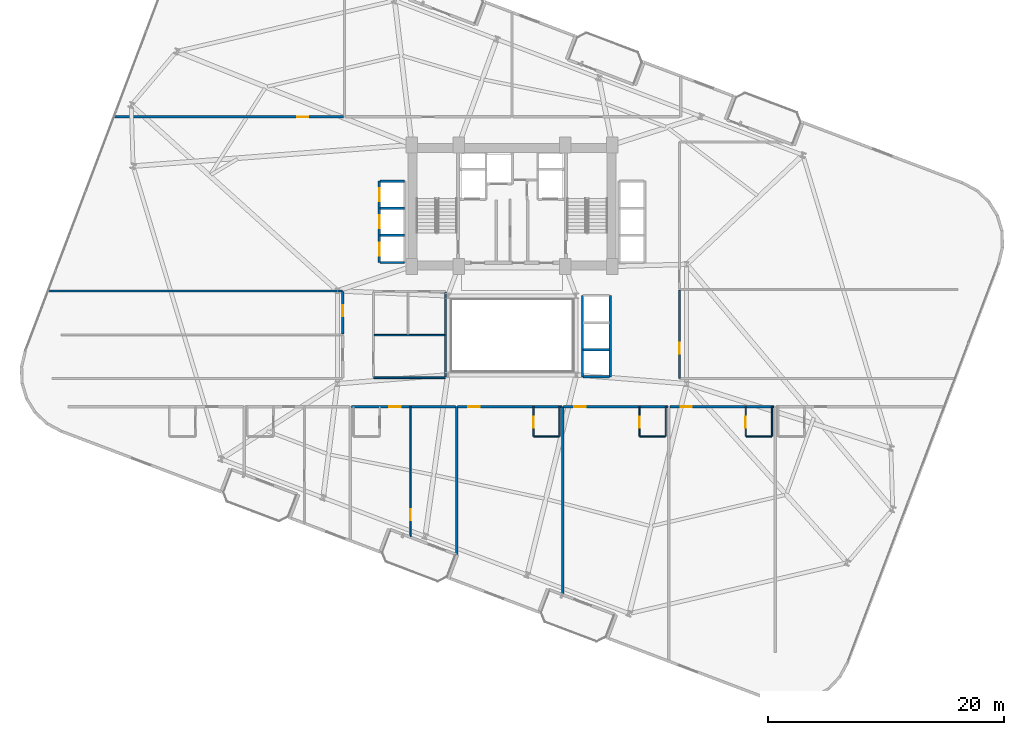
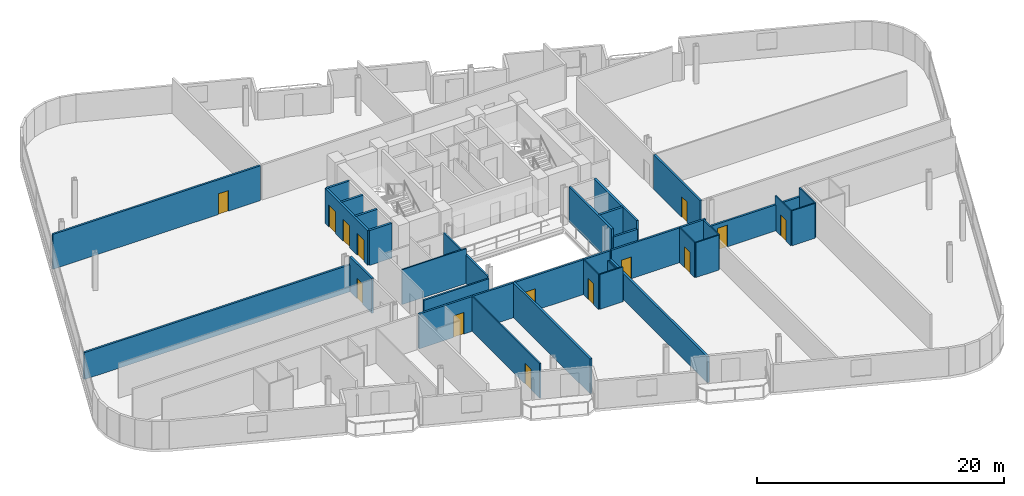
# One storey, part 18 of 25: 32 walls, 14 doors, 14 openings.
"""IFC4 building model written with IfcOpenShell, lengths in metres."""

from ifc_helpers import new_model, si_unit, direction, frame, frame_2d, origin, place, context, subcontext, project, spatial, rectangle, extrude, material, layer, layer_set, type_object, element, fill, save


model = new_model("IFC4")

# Units and contexts
model_context = context("Model", 3, precision=1e-05, world=origin(), true_north=direction((0.0, 1.0)))
body_context = subcontext(model_context, "Body", "Model", "MODEL_VIEW")
ifc_project = project(units=[si_unit("LENGTHUNIT", "METRE"), si_unit("AREAUNIT", "SQUARE_METRE"), si_unit("VOLUMEUNIT", "CUBIC_METRE"), si_unit("PLANEANGLEUNIT", "RADIAN"), si_unit("MASSUNIT", "GRAM", prefix="KILO")], contexts=[model_context])

# Site, building, storey
site_placement = place(None, origin())
site = spatial("IfcSite", under=ifc_project, at=site_placement, CompositionType="ELEMENT")
building_placement = place(site_placement, origin())
building = spatial("IfcBuilding", under=site, at=building_placement, Name="Varnelok Gate Tower", CompositionType="ELEMENT")
storey_placement = place(building_placement, frame((0.0, 0.0, 83.60009765625)))
storey = spatial("IfcBuildingStorey", under=building, at=storey_placement, Name="L20", CompositionType="ELEMENT", Elevation=83.60009765625)

# Wall, opening, door
ifc_material_1 = material(Name="Gypsum Plasterboard Acoustic Partition", Category="gypsum")
ifc_layer_1 = layer(ifc_material_1, 0.179931640625)
ifc_layer_set_1 = layer_set([ifc_layer_1], Name="Gypsum Plasterboard Acoustic Partition")
wall_type_1 = type_object("IfcWallType", Name="PW-CORR-180", PredefinedType="PARTITIONING", material=ifc_layer_set_1)
wall_1_placement = place(storey_placement, frame((25.580078125, 16.85009765625, 0.0), z_axis=(0.0, 0.0, 1.0), x_axis=(1.0, 0.0, 0.0)))
wall_1 = element("IfcWall", 1, at=wall_1_placement, inside=storey, type_object=wall_type_1, Name="Interior Partition", PredefinedType="PARTITIONING", context=body_context, shape_type="SweptSolid", body=[
    extrude(rectangle(XDim=8.83984375, YDim=0.179931640625, at=frame_2d((4.419921875, 0.0))), origin(), (0.0, 0.0, 1.0), 3.449951171875),
])
opening_1_placement = place(wall_1_placement, frame((3.22998046875, 0.0, 0.0)))
opening_1 = element("IfcOpeningElement", 2, at=opening_1_placement, cuts=wall_1, Name="Opening D-HT", PredefinedType="OPENING", context=body_context, shape_type="SweptSolid", body=[
    extrude(rectangle(XDim=0.949951171875, YDim=2.14990234375, at=frame_2d((0.47509765625, 1.074951171875))), frame((0.0, 0.099853515625, 0.0), z_axis=(0.0, -1.0, 0.0), x_axis=(1.0, 0.0, 0.0)), (0.0, 0.0, 1.0), 0.199951171875),
])
ifc_material_2 = material(Name="Engineered Hardwood Timber", Category="wood")
door_type_1 = type_object("IfcDoorType", Name="DR-HTL-950", OperationType="NOTDEFINED", PredefinedType="DOOR", material=ifc_material_2)
door_1_placement = place(opening_1_placement, origin())
door_1 = element("IfcDoor", 3, at=door_1_placement, inside=storey, type_object=door_type_1, Name="L20 Guest Room 03 Entrance Door", OperationType="SINGLE_SWING_RIGHT", OverallHeight=2.14990234375, OverallWidth=0.949951171875, PredefinedType="DOOR", context=body_context, shape_type="SweptSolid", body=[
    extrude(rectangle(XDim=0.949951171875, YDim=2.14990234375, at=frame_2d((0.47509765625, 1.074951171875))), frame((0.0, 0.02490234375, 0.0), z_axis=(0.0, -1.0, 0.0), x_axis=(1.0, 0.0, 0.0)), (0.0, 0.0, 1.0), 0.050048828125),
])
fill(opening_1, door_1)

wall_2_placement = place(storey_placement, frame((34.580078125, 16.85009765625, 0.0), z_axis=(0.0, 0.0, 1.0), x_axis=(1.0, 0.0, 0.0)))
wall_2 = element("IfcWall", 4, at=wall_2_placement, inside=storey, type_object=wall_type_1, Name="Interior Partition", PredefinedType="PARTITIONING", context=body_context, shape_type="SweptSolid", body=[
    extrude(rectangle(XDim=8.83984375, YDim=0.179931640625, at=frame_2d((4.419921875, 0.0))), origin(), (0.0, 0.0, 1.0), 3.449951171875),
])
opening_2_placement = place(wall_2_placement, frame((0.91796875, 0.0, 0.0)))
opening_2 = element("IfcOpeningElement", 5, at=opening_2_placement, cuts=wall_2, Name="Opening D-HT", PredefinedType="OPENING", context=body_context, shape_type="SweptSolid", body=[
    extrude(rectangle(XDim=0.949951171875, YDim=2.14990234375, at=frame_2d((0.47509765625, 1.074951171875))), frame((0.0, 0.099853515625, 0.0), z_axis=(0.0, -1.0, 0.0), x_axis=(1.0, 0.0, 0.0)), (0.0, 0.0, 1.0), 0.199951171875),
])
door_2_placement = place(opening_2_placement, origin())
door_2 = element("IfcDoor", 6, at=door_2_placement, inside=storey, type_object=door_type_1, Name="L20 Guest Room 04 Entrance Door", OperationType="SINGLE_SWING_LEFT", OverallHeight=2.14990234375, OverallWidth=0.949951171875, PredefinedType="DOOR", context=body_context, shape_type="SweptSolid", body=[
    extrude(rectangle(XDim=0.949951171875, YDim=2.14990234375, at=frame_2d((0.47509765625, 1.074951171875))), frame((0.0, 0.02490234375, 0.0), z_axis=(0.0, -1.0, 0.0), x_axis=(1.0, 0.0, 0.0)), (0.0, 0.0, 1.0), 0.050048828125),
])
fill(opening_2, door_2)

wall_3_placement = place(storey_placement, frame((43.580078125, 16.85009765625, 0.0), z_axis=(0.0, 0.0, 1.0), x_axis=(1.0, 0.0, 0.0)))
wall_3 = element("IfcWall", 7, at=wall_3_placement, inside=storey, type_object=wall_type_1, Name="Interior Partition", PredefinedType="PARTITIONING", context=body_context, shape_type="SweptSolid", body=[
    extrude(rectangle(XDim=8.83984375, YDim=0.179931640625, at=frame_2d((4.419921875, 0.0))), origin(), (0.0, 0.0, 1.0), 3.449951171875),
])
opening_3_placement = place(wall_3_placement, frame((0.91796875, 0.0, 0.0)))
opening_3 = element("IfcOpeningElement", 8, at=opening_3_placement, cuts=wall_3, Name="Opening D-HT", PredefinedType="OPENING", context=body_context, shape_type="SweptSolid", body=[
    extrude(rectangle(XDim=0.949951171875, YDim=2.14990234375, at=frame_2d((0.47509765625, 1.074951171875))), frame((0.0, 0.099853515625, 0.0), z_axis=(0.0, -1.0, 0.0), x_axis=(1.0, 0.0, 0.0)), (0.0, 0.0, 1.0), 0.199951171875),
])
door_3_placement = place(opening_3_placement, origin())
door_3 = element("IfcDoor", 9, at=door_3_placement, inside=storey, type_object=door_type_1, Name="L20 Guest Room 05 Entrance Door", OperationType="SINGLE_SWING_RIGHT", OverallHeight=2.14990234375, OverallWidth=0.949951171875, PredefinedType="DOOR", context=body_context, shape_type="SweptSolid", body=[
    extrude(rectangle(XDim=0.949951171875, YDim=2.14990234375, at=frame_2d((0.47509765625, 1.074951171875))), frame((0.0, 0.02490234375, 0.0), z_axis=(0.0, -1.0, 0.0), x_axis=(1.0, 0.0, 0.0)), (0.0, 0.0, 1.0), 0.050048828125),
])
fill(opening_3, door_3)

wall_4_placement = place(storey_placement, frame((52.580078125, 16.85009765625, 0.0), z_axis=(0.0, 0.0, 1.0), x_axis=(1.0, 0.0, 0.0)))
wall_4 = element("IfcWall", 10, at=wall_4_placement, inside=storey, type_object=wall_type_1, Name="Interior Partition", PredefinedType="PARTITIONING", context=body_context, shape_type="SweptSolid", body=[
    extrude(rectangle(XDim=8.83984375, YDim=0.179931640625, at=frame_2d((4.419921875, 0.0))), origin(), (0.0, 0.0, 1.0), 2.579833984375),
])
opening_4_placement = place(wall_4_placement, frame((0.91796875, 0.0, 0.0)))
opening_4 = element("IfcOpeningElement", 11, at=opening_4_placement, cuts=wall_4, Name="Opening D-HT", PredefinedType="OPENING", context=body_context, shape_type="SweptSolid", body=[
    extrude(rectangle(XDim=0.949951171875, YDim=2.14990234375, at=frame_2d((0.47509765625, 1.074951171875))), frame((0.0, 0.099853515625, 0.0), z_axis=(0.0, -1.0, 0.0), x_axis=(1.0, 0.0, 0.0)), (0.0, 0.0, 1.0), 0.199951171875),
])
door_4_placement = place(opening_4_placement, origin())
door_4 = element("IfcDoor", 12, at=door_4_placement, inside=storey, type_object=door_type_1, Name="L20 Guest Room 06 Entrance Door", OperationType="SINGLE_SWING_LEFT", OverallHeight=2.14990234375, OverallWidth=0.949951171875, PredefinedType="DOOR", context=body_context, shape_type="SweptSolid", body=[
    extrude(rectangle(XDim=0.949951171875, YDim=2.14990234375, at=frame_2d((0.47509765625, 1.074951171875))), frame((0.0, 0.02490234375, 0.0), z_axis=(0.0, -1.0, 0.0), x_axis=(1.0, 0.0, 0.0)), (0.0, 0.0, 1.0), 0.050048828125),
])
fill(opening_4, door_4)

wall_5_placement = place(storey_placement, frame((5.505859375, 41.429931640625, 0.0), z_axis=(0.0, 0.0, 1.0), x_axis=(1.0, 0.0, 0.0)))
wall_5 = element("IfcWall", 13, at=wall_5_placement, inside=storey, type_object=wall_type_1, Name="Interior Partition", PredefinedType="PARTITIONING", context=body_context, shape_type="SweptSolid", body=[
    extrude(rectangle(XDim=19.4140625, YDim=0.179931640625, at=frame_2d((9.70703125, 0.0))), origin(), (0.0, 0.0, 1.0), 3.449951171875),
])
opening_5_placement = place(wall_5_placement, frame((15.46923828125, 0.0, 0.0)))
opening_5 = element("IfcOpeningElement", 14, at=opening_5_placement, cuts=wall_5, Name="Opening D-I2", PredefinedType="OPENING", context=body_context, shape_type="SweptSolid", body=[
    extrude(rectangle(XDim=0.949951171875, YDim=2.050048828125, at=frame_2d((0.47509765625, 1.02490234375))), frame((0.0, 0.099853515625, 0.0), z_axis=(0.0, -1.0, 0.0), x_axis=(1.0, 0.0, 0.0)), (0.0, 0.0, 1.0), 0.199951171875),
])
door_type_2 = type_object("IfcDoorType", Name="DR-INT-950", OperationType="NOTDEFINED", PredefinedType="DOOR", material=ifc_material_2)
door_5_placement = place(opening_5_placement, origin())
door_5 = element("IfcDoor", 15, at=door_5_placement, inside=storey, type_object=door_type_2, Name="L20 Spa Treatment Suite Door", OperationType="SINGLE_SWING_LEFT", OverallHeight=2.050048828125, OverallWidth=0.949951171875, PredefinedType="DOOR", context=body_context, shape_type="SweptSolid", body=[
    extrude(rectangle(XDim=0.949951171875, YDim=2.050048828125, at=frame_2d((0.47509765625, 1.02490234375))), frame((0.0, 0.02490234375, 0.0), z_axis=(0.0, -1.0, 0.0), x_axis=(1.0, 0.0, 0.0)), (0.0, 0.0, 1.0), 0.050048828125),
])
fill(opening_5, door_5)

wall_6_placement = place(storey_placement, frame((24.85009765625, 23.030029296875, 0.0), z_axis=(0.0, 0.0, 1.0), x_axis=(0.0, 1.0, 0.0)))
wall_6 = element("IfcWall", 16, at=wall_6_placement, inside=storey, type_object=wall_type_1, Name="Interior Partition", PredefinedType="PARTITIONING", context=body_context, shape_type="SweptSolid", body=[
    extrude(rectangle(XDim=3.570068359375, YDim=0.179931640625, at=frame_2d((1.78515625, 0.0))), origin(), (0.0, 0.0, 1.0), 3.449951171875),
])
opening_6_placement = place(wall_6_placement, frame((1.49951171875, 0.0, 0.0)))
opening_6 = element("IfcOpeningElement", 17, at=opening_6_placement, cuts=wall_6, Name="Opening D-I3", PredefinedType="OPENING", context=body_context, shape_type="SweptSolid", body=[
    extrude(rectangle(XDim=0.919921875, YDim=2.050048828125, at=frame_2d((0.4599609375, 1.02490234375))), frame((0.0, 0.099853515625, 0.0), z_axis=(0.0, -1.0, 0.0), x_axis=(1.0, 0.0, 0.0)), (0.0, 0.0, 1.0), 0.199951171875),
])
door_type_3 = type_object("IfcDoorType", Name="DR-INT-920", OperationType="NOTDEFINED", PredefinedType="DOOR", material=ifc_material_2)
door_6_placement = place(opening_6_placement, origin())
door_6 = element("IfcDoor", 18, at=door_6_placement, inside=storey, type_object=door_type_3, Name="L20 West Wing Room 2 Door", OperationType="SINGLE_SWING_RIGHT", OverallHeight=2.050048828125, OverallWidth=0.919921875, PredefinedType="DOOR", context=body_context, shape_type="SweptSolid", body=[
    extrude(rectangle(XDim=0.919921875, YDim=2.050048828125, at=frame_2d((0.4599609375, 1.02490234375))), frame((0.0, 0.02490234375, 0.0), z_axis=(0.0, -1.0, 0.0), x_axis=(1.0, 0.0, 0.0)), (0.0, 0.0, 1.0), 0.050048828125),
])
fill(opening_6, door_6)

# Wall
wall_7_placement = place(storey_placement, frame((-0.0859375, 26.659912109375, 0.0), z_axis=(0.0, 0.0, 1.0), x_axis=(1.0, 0.0, 0.0)))
element("IfcWall", 19, at=wall_7_placement, inside=storey, type_object=wall_type_1, Name="Interior Partition", PredefinedType="PARTITIONING", context=body_context, shape_type="SweptSolid", body=[
    extrude(rectangle(XDim=24.93603515625, YDim=0.179931640625, at=frame_2d((12.468017578125, 0.0))), origin(), (0.0, 0.0, 1.0), 2.661865234375),
])

# Wall, opening, door
wall_8_placement = place(storey_placement, frame((53.389892578125, 19.239990234375, 0.0), z_axis=(0.0, 0.0, 1.0), x_axis=(0.0, 1.0, 0.0)))
wall_8 = element("IfcWall", 20, at=wall_8_placement, inside=storey, type_object=wall_type_1, Name="Interior Partition", PredefinedType="PARTITIONING", context=body_context, shape_type="SweptSolid", body=[
    extrude(rectangle(XDim=7.52001953125, YDim=0.179931640625, at=frame_2d((3.760009765625, 0.0))), origin(), (0.0, 0.0, 1.0), 3.449951171875),
])
opening_7_placement = place(wall_8_placement, frame((2.10009765625, 0.0, 0.0)))
opening_7 = element("IfcOpeningElement", 21, at=opening_7_placement, cuts=wall_8, Name="Opening D-I3", PredefinedType="OPENING", context=body_context, shape_type="SweptSolid", body=[
    extrude(rectangle(XDim=0.919921875, YDim=2.050048828125, at=frame_2d((0.4599609375, 1.02490234375))), frame((0.0, 0.099853515625, 0.0), z_axis=(0.0, -1.0, 0.0), x_axis=(1.0, 0.0, 0.0)), (0.0, 0.0, 1.0), 0.199951171875),
])
door_7_placement = place(opening_7_placement, origin())
door_7 = element("IfcDoor", 22, at=door_7_placement, inside=storey, type_object=door_type_3, Name="L20 East Studio Door", OperationType="SINGLE_SWING_RIGHT", OverallHeight=2.050048828125, OverallWidth=0.919921875, PredefinedType="DOOR", context=body_context, shape_type="SweptSolid", body=[
    extrude(rectangle(XDim=0.919921875, YDim=2.050048828125, at=frame_2d((0.4599609375, 1.02490234375))), frame((0.0, 0.02490234375, 0.0), z_axis=(0.0, -1.0, 0.0), x_axis=(1.0, 0.0, 0.0)), (0.0, 0.0, 1.0), 0.050048828125),
])
fill(opening_7, door_7)

# Wall
ifc_layer_2 = layer(ifc_material_1, 0.114990234375)
ifc_layer_set_2 = layer_set([ifc_layer_2], Name="Gypsum Plasterboard Acoustic Partition")
wall_type_2 = type_object("IfcWallType", Name="PW-ENS-125", PredefinedType="PARTITIONING", material=ifc_layer_set_2)
wall_9_placement = place(storey_placement, frame((41.050048828125, 14.330078125, 0.0), z_axis=(0.0, 0.0, 1.0), x_axis=(1.0, 0.0, 0.0)))
element("IfcWall", 23, at=wall_9_placement, inside=storey, type_object=wall_type_2, Name="Interior Partition", PredefinedType="PARTITIONING", context=body_context, shape_type="SweptSolid", body=[
    extrude(rectangle(XDim=2.14990234375, YDim=0.114990234375, at=frame_2d((1.074951171875, 0.0))), origin(), (0.0, 0.0, 1.0), 3.449951171875),
])

# Wall, opening, door
wall_10_placement = place(storey_placement, frame((41.010009765625, 14.330078125, 0.0), z_axis=(0.0, 0.0, 1.0), x_axis=(0.0, 1.0, 0.0)))
wall_10 = element("IfcWall", 24, at=wall_10_placement, inside=storey, type_object=wall_type_2, Name="Interior Partition", PredefinedType="PARTITIONING", context=body_context, shape_type="SweptSolid", body=[
    extrude(rectangle(XDim=2.52001953125, YDim=0.114990234375, at=frame_2d((1.260009765625, 0.0))), origin(), (0.0, 0.0, 1.0), 3.449951171875),
])
opening_8_placement = place(wall_10_placement, frame((0.760009765625, 0.0, 0.0)))
opening_8 = element("IfcOpeningElement", 25, at=opening_8_placement, cuts=wall_10, Name="Opening D-WC", PredefinedType="OPENING", context=body_context, shape_type="SweptSolid", body=[
    extrude(rectangle(XDim=0.89990234375, YDim=2.050048828125, at=frame_2d((0.449951171875, 1.02490234375))), frame((0.0, 0.0673828125, 0.0), z_axis=(0.0, -1.0, 0.0), x_axis=(1.0, 0.0, 0.0)), (0.0, 0.0, 1.0), 0.135009765625),
])
door_type_4 = type_object("IfcDoorType", Name="DR-BATH-900", OperationType="NOTDEFINED", PredefinedType="DOOR", material=ifc_material_2)
door_8_placement = place(opening_8_placement, origin())
door_8 = element("IfcDoor", 26, at=door_8_placement, inside=storey, type_object=door_type_4, Name="L20 Guest En-Suite 04 Door", OperationType="SINGLE_SWING_RIGHT", OverallHeight=2.050048828125, OverallWidth=0.89990234375, PredefinedType="DOOR", context=body_context, shape_type="SweptSolid", body=[
    extrude(rectangle(XDim=0.89990234375, YDim=2.050048828125, at=frame_2d((0.449951171875, 1.02490234375))), frame((0.0, 0.02490234375, 0.0), z_axis=(0.0, -1.0, 0.0), x_axis=(1.0, 0.0, 0.0)), (0.0, 0.0, 1.0), 0.050048828125),
])
fill(opening_8, door_8)

# Walls
wall_11_placement = place(storey_placement, frame((43.239990234375, 14.330078125, 0.0), z_axis=(0.0, 0.0, 1.0), x_axis=(0.0, 1.0, 0.0)))
element("IfcWall", 27, at=wall_11_placement, inside=storey, type_object=wall_type_2, Name="Interior Partition", PredefinedType="PARTITIONING", context=body_context, shape_type="SweptSolid", body=[
    extrude(rectangle(XDim=2.52001953125, YDim=0.114990234375, at=frame_2d((1.260009765625, 0.0))), origin(), (0.0, 0.0, 1.0), 2.579833984375),
])
wall_12_placement = place(storey_placement, frame((50.050048828125, 14.330078125, 0.0), z_axis=(0.0, 0.0, 1.0), x_axis=(1.0, 0.0, 0.0)))
element("IfcWall", 28, at=wall_12_placement, inside=storey, type_object=wall_type_2, Name="Interior Partition", PredefinedType="PARTITIONING", context=body_context, shape_type="SweptSolid", body=[
    extrude(rectangle(XDim=2.14990234375, YDim=0.114990234375, at=frame_2d((1.074951171875, 0.0))), origin(), (0.0, 0.0, 1.0), 3.449951171875),
])

# Wall, opening, door
wall_13_placement = place(storey_placement, frame((50.010009765625, 14.330078125, 0.0), z_axis=(0.0, 0.0, 1.0), x_axis=(0.0, 1.0, 0.0)))
wall_13 = element("IfcWall", 29, at=wall_13_placement, inside=storey, type_object=wall_type_2, Name="Interior Partition", PredefinedType="PARTITIONING", context=body_context, shape_type="SweptSolid", body=[
    extrude(rectangle(XDim=2.52001953125, YDim=0.114990234375, at=frame_2d((1.260009765625, 0.0))), origin(), (0.0, 0.0, 1.0), 3.449951171875),
])
opening_9_placement = place(wall_13_placement, frame((0.760009765625, 0.0, 0.0)))
opening_9 = element("IfcOpeningElement", 30, at=opening_9_placement, cuts=wall_13, Name="Opening D-WC", PredefinedType="OPENING", context=body_context, shape_type="SweptSolid", body=[
    extrude(rectangle(XDim=0.89990234375, YDim=2.050048828125, at=frame_2d((0.449951171875, 1.02490234375))), frame((0.0, 0.0673828125, 0.0), z_axis=(0.0, -1.0, 0.0), x_axis=(1.0, 0.0, 0.0)), (0.0, 0.0, 1.0), 0.135009765625),
])
door_9_placement = place(opening_9_placement, origin())
door_9 = element("IfcDoor", 31, at=door_9_placement, inside=storey, type_object=door_type_4, Name="L20 Guest En-Suite 05 Door", OperationType="SINGLE_SWING_RIGHT", OverallHeight=2.050048828125, OverallWidth=0.89990234375, PredefinedType="DOOR", context=body_context, shape_type="SweptSolid", body=[
    extrude(rectangle(XDim=0.89990234375, YDim=2.050048828125, at=frame_2d((0.449951171875, 1.02490234375))), frame((0.0, 0.02490234375, 0.0), z_axis=(0.0, -1.0, 0.0), x_axis=(1.0, 0.0, 0.0)), (0.0, 0.0, 1.0), 0.050048828125),
])
fill(opening_9, door_9)

# Walls
wall_14_placement = place(storey_placement, frame((52.239990234375, 14.330078125, 0.0), z_axis=(0.0, 0.0, 1.0), x_axis=(0.0, 1.0, 0.0)))
element("IfcWall", 32, at=wall_14_placement, inside=storey, type_object=wall_type_2, Name="Interior Partition", PredefinedType="PARTITIONING", context=body_context, shape_type="SweptSolid", body=[
    extrude(rectangle(XDim=2.52001953125, YDim=0.114990234375, at=frame_2d((1.260009765625, 0.0))), origin(), (0.0, 0.0, 1.0), 3.449951171875),
])
wall_15_placement = place(storey_placement, frame((59.050048828125, 14.330078125, 0.0), z_axis=(0.0, 0.0, 1.0), x_axis=(1.0, 0.0, 0.0)))
element("IfcWall", 33, at=wall_15_placement, inside=storey, type_object=wall_type_2, Name="Interior Partition", PredefinedType="PARTITIONING", context=body_context, shape_type="SweptSolid", body=[
    extrude(rectangle(XDim=2.14990234375, YDim=0.114990234375, at=frame_2d((1.074951171875, 0.0))), origin(), (0.0, 0.0, 1.0), 3.449951171875),
])

# Wall, opening, door
wall_16_placement = place(storey_placement, frame((59.010009765625, 14.330078125, 0.0), z_axis=(0.0, 0.0, 1.0), x_axis=(0.0, 1.0, 0.0)))
wall_16 = element("IfcWall", 34, at=wall_16_placement, inside=storey, type_object=wall_type_2, Name="Interior Partition", PredefinedType="PARTITIONING", context=body_context, shape_type="SweptSolid", body=[
    extrude(rectangle(XDim=2.52001953125, YDim=0.114990234375, at=frame_2d((1.260009765625, 0.0))), origin(), (0.0, 0.0, 1.0), 3.449951171875),
])
opening_10_placement = place(wall_16_placement, frame((0.760009765625, 0.0, 0.0)))
opening_10 = element("IfcOpeningElement", 35, at=opening_10_placement, cuts=wall_16, Name="Opening D-WC", PredefinedType="OPENING", context=body_context, shape_type="SweptSolid", body=[
    extrude(rectangle(XDim=0.89990234375, YDim=2.050048828125, at=frame_2d((0.449951171875, 1.02490234375))), frame((0.0, 0.0673828125, 0.0), z_axis=(0.0, -1.0, 0.0), x_axis=(1.0, 0.0, 0.0)), (0.0, 0.0, 1.0), 0.135009765625),
])
door_10_placement = place(opening_10_placement, origin())
door_10 = element("IfcDoor", 36, at=door_10_placement, inside=storey, type_object=door_type_4, Name="L20 Guest En-Suite 06 Door", OperationType="SINGLE_SWING_RIGHT", OverallHeight=2.050048828125, OverallWidth=0.89990234375, PredefinedType="DOOR", context=body_context, shape_type="SweptSolid", body=[
    extrude(rectangle(XDim=0.89990234375, YDim=2.050048828125, at=frame_2d((0.449951171875, 1.02490234375))), frame((0.0, 0.02490234375, 0.0), z_axis=(0.0, -1.0, 0.0), x_axis=(1.0, 0.0, 0.0)), (0.0, 0.0, 1.0), 0.050048828125),
])
fill(opening_10, door_10)

# Wall
wall_17_placement = place(storey_placement, frame((61.239990234375, 14.330078125, 0.0), z_axis=(0.0, 0.0, 1.0), x_axis=(0.0, 1.0, 0.0)))
element("IfcWall", 37, at=wall_17_placement, inside=storey, type_object=wall_type_2, Name="Interior Partition", PredefinedType="PARTITIONING", context=body_context, shape_type="SweptSolid", body=[
    extrude(rectangle(XDim=2.52001953125, YDim=0.114990234375, at=frame_2d((1.260009765625, 0.0))), origin(), (0.0, 0.0, 1.0), 3.449951171875),
])

# Wall, opening, door
ifc_layer_3 = layer(ifc_material_1, 0.125)
ifc_layer_set_3 = layer_set([ifc_layer_3], Name="Gypsum Plasterboard Acoustic Partition")
wall_type_3 = type_object("IfcWallType", Name="PW-PART-125", PredefinedType="PARTITIONING", material=ifc_layer_set_3)
wall_18_placement = place(storey_placement, frame((30.60009765625, 5.8232421875, 0.0), z_axis=(0.0, 0.0, 1.0), x_axis=(0.0, 1.0, 0.0)))
wall_18 = element("IfcWall", 38, at=wall_18_placement, inside=storey, type_object=wall_type_3, Name="Interior Partition", PredefinedType="PARTITIONING", context=body_context, shape_type="SweptSolid", body=[
    extrude(rectangle(XDim=11.02685546875, YDim=0.125, at=frame_2d((5.513427734375, 0.0))), origin(), (0.0, 0.0, 1.0), 3.449951171875),
])
opening_11_placement = place(wall_18_placement, frame((1.42041015625, 0.0, 0.0)))
opening_11 = element("IfcOpeningElement", 39, at=opening_11_placement, cuts=wall_18, Name="Opening D-I3", PredefinedType="OPENING", context=body_context, shape_type="SweptSolid", body=[
    extrude(rectangle(XDim=0.919921875, YDim=2.050048828125, at=frame_2d((0.4599609375, 1.02490234375))), frame((0.0, 0.072509765625, 0.0), z_axis=(0.0, -1.0, 0.0), x_axis=(1.0, 0.0, 0.0)), (0.0, 0.0, 1.0), 0.14501953125),
])
door_11_placement = place(opening_11_placement, origin())
door_11 = element("IfcDoor", 40, at=door_11_placement, inside=storey, type_object=door_type_3, Name="L20 Suite Bedroom Door 3", OperationType="SINGLE_SWING_LEFT", OverallHeight=2.050048828125, OverallWidth=0.919921875, PredefinedType="DOOR", context=body_context, shape_type="SweptSolid", body=[
    extrude(rectangle(XDim=0.919921875, YDim=2.050048828125, at=frame_2d((0.4599609375, 1.02490234375))), frame((0.0, 0.02490234375, 0.0), z_axis=(0.0, -1.0, 0.0), x_axis=(1.0, 0.0, 0.0)), (0.0, 0.0, 1.0), 0.050048828125),
])
fill(opening_11, door_11)

# Walls
wall_19_placement = place(storey_placement, frame((27.52001953125, 22.929931640625, 0.0), z_axis=(0.0, 0.0, 1.0), x_axis=(1.0, 0.0, 0.0)))
element("IfcWall", 41, at=wall_19_placement, inside=storey, type_object=wall_type_3, Name="Interior Partition", PredefinedType="PARTITIONING", context=body_context, shape_type="SweptSolid", body=[
    extrude(rectangle(XDim=6.0, YDim=0.125, at=frame_2d((3.0, 0.0))), origin(), (0.0, 0.0, 1.0), 3.449951171875),
])
ifc_layer_4 = layer(ifc_material_1, 0.14990234375)
ifc_layer_set_4 = layer_set([ifc_layer_4], Name="Gypsum Plasterboard Acoustic Partition")
wall_type_4 = type_object("IfcWallType", Name="PW-PART-150", PredefinedType="PARTITIONING", material=ifc_layer_set_4)
wall_20_placement = place(storey_placement, frame((27.4599609375, 19.300048828125, 0.0), z_axis=(0.0, 0.0, 1.0), x_axis=(1.0, 0.0, 0.0)))
element("IfcWall", 42, at=wall_20_placement, inside=storey, type_object=wall_type_4, Name="Interior Partition", PredefinedType="PARTITIONING", context=body_context, shape_type="SweptSolid", body=[
    extrude(rectangle(XDim=6.10009765625, YDim=0.14990234375, at=frame_2d((3.050048828125, 0.0))), origin(), (0.0, 0.0, 1.0), 2.661865234375),
])
wall_21_placement = place(storey_placement, frame((33.56005859375, 19.3798828125, 0.0), z_axis=(0.0, 0.0, 1.0), x_axis=(0.0, 1.0, 0.0)))
element("IfcWall", 43, at=wall_21_placement, inside=storey, type_object=wall_type_4, Name="Interior Partition", PredefinedType="PARTITIONING", context=body_context, shape_type="SweptSolid", body=[
    extrude(rectangle(XDim=7.16015625, YDim=0.14990234375, at=frame_2d((3.580078125, 0.0))), origin(), (0.0, 0.0, 1.0), 2.823974609375),
])
ifc_layer_5 = layer(ifc_material_1, 0.205078125)
ifc_layer_set_5 = layer_set([ifc_layer_5], Name="Gypsum Plasterboard Acoustic Partition")
wall_type_5 = type_object("IfcWallType", Name="PW-PARTY-200", PredefinedType="PARTITIONING", material=ifc_layer_set_5)
wall_22_placement = place(storey_placement, frame((34.5, 4.344482421875, 0.0), z_axis=(0.0, 0.0, 1.0), x_axis=(0.0, 1.0, 0.0)))
element("IfcWall", 44, at=wall_22_placement, inside=storey, type_object=wall_type_5, Name="L20 South Party Wall 3", PredefinedType="PARTITIONING", context=body_context, shape_type="SweptSolid", body=[
    extrude(rectangle(XDim=12.505615234375, YDim=0.205078125, at=frame_2d((6.2529296875, 0.0))), origin(), (0.0, 0.0, 1.0), 3.449951171875),
])
wall_23_placement = place(storey_placement, frame((43.5, 0.939453125, 0.0), z_axis=(0.0, 0.0, 1.0), x_axis=(0.0, 1.0, 0.0)))
element("IfcWall", 45, at=wall_23_placement, inside=storey, type_object=wall_type_5, Name="L20 South Party Wall 4", PredefinedType="PARTITIONING", context=body_context, shape_type="SweptSolid", body=[
    extrude(rectangle(XDim=15.91064453125, YDim=0.205078125, at=frame_2d((7.955322265625, 0.0))), origin(), (0.0, 0.0, 1.0), 2.579833984375),
])
ifc_material_3 = material(Name="Concrete C35/45", Category="concrete")
ifc_layer_6 = layer(ifc_material_3, 0.199951171875)
ifc_layer_set_6 = layer_set([ifc_layer_6], Name="Concrete C35/45")
wall_type_6 = type_object("IfcWallType", Name="PW-SHAFT-200", PredefinedType="PARTITIONING", material=ifc_layer_set_6)
for number, where, z_axis, x_axis, name in (
    (46, (28.02001953125, 31.375, 0.0), (0.0, 0.0, 1.0), (1.0, 0.0, 0.0), "L20 PL1 Divider"),
    (47, (28.02001953125, 33.675048828125, 0.0), (0.0, 0.0, 1.0), (1.0, 0.0, 0.0), "L20 PL2 Divider"),
):
    element("IfcWall", number, at=place(storey_placement, frame(where, z_axis=z_axis, x_axis=x_axis)), inside=storey, type_object=wall_type_6, Name=name, PredefinedType="PARTITIONING", context=body_context, shape_type="SweptSolid", body=[
        extrude(rectangle(XDim=2.06005859375, YDim=0.199951171875, at=frame_2d((1.030029296875, 0.0))), origin(), (0.0, 0.0, 1.0), 3.449951171875),
    ])
for number, where, z_axis, x_axis, name in (
    (48, (28.0, 29.080078125, 0.0), (0.0, 0.0, 1.0), (1.0, 0.0, 0.0), "L20 PL Bank South Wall"),
    (49, (28.0, 35.969970703125, 0.0), (0.0, 0.0, 1.0), (1.0, 0.0, 0.0), "L20 PL Bank North Wall"),
):
    element("IfcWall", number, at=place(storey_placement, frame(where, z_axis=z_axis, x_axis=x_axis)), inside=storey, type_object=wall_type_6, Name=name, PredefinedType="PARTITIONING", context=body_context, shape_type="SweptSolid", body=[
        extrude(rectangle(XDim=2.10009765625, YDim=0.199951171875, at=frame_2d((1.050048828125, 0.0))), origin(), (0.0, 0.0, 1.0), 3.449951171875),
    ])

# Wall, openings, doors
wall_24_placement = place(storey_placement, frame((27.9599609375, 29.080078125, 0.0), z_axis=(0.0, 0.0, 1.0), x_axis=(0.0, 1.0, 0.0)))
wall_24 = element("IfcWall", 50, at=wall_24_placement, inside=storey, type_object=wall_type_6, Name="L20 PL Bank Front Wall", PredefinedType="PARTITIONING", context=body_context, shape_type="SweptSolid", body=[
    extrude(rectangle(XDim=6.889892578125, YDim=0.199951171875, at=frame_2d((3.44482421875, 0.0))), origin(), (0.0, 0.0, 1.0), 3.449951171875),
])
opening_12_placement = place(wall_24_placement, frame((0.590087890625, 0.0, 0.0)))
opening_12 = element("IfcOpeningElement", 51, at=opening_12_placement, cuts=wall_24, Name="Opening LD-PL1", PredefinedType="OPENING", context=body_context, shape_type="SweptSolid", body=[
    extrude(rectangle(XDim=1.10009765625, YDim=2.14990234375, at=frame_2d((0.550048828125, 1.074951171875))), frame((0.0, 0.10986328125, 0.0), z_axis=(0.0, -1.0, 0.0), x_axis=(1.0, 0.0, 0.0)), (0.0, 0.0, 1.0), 0.219970703125),
])
opening_13_placement = place(wall_24_placement, frame((2.889892578125, 0.0, 0.0)))
opening_13 = element("IfcOpeningElement", 52, at=opening_13_placement, cuts=wall_24, Name="Opening LD-PL2", PredefinedType="OPENING", context=body_context, shape_type="SweptSolid", body=[
    extrude(rectangle(XDim=1.10009765625, YDim=2.14990234375, at=frame_2d((0.550048828125, 1.074951171875))), frame((0.0, 0.10986328125, 0.0), z_axis=(0.0, -1.0, 0.0), x_axis=(1.0, 0.0, 0.0)), (0.0, 0.0, 1.0), 0.219970703125),
])
opening_14_placement = place(wall_24_placement, frame((5.18994140625, 0.0, 0.0)))
opening_14 = element("IfcOpeningElement", 53, at=opening_14_placement, cuts=wall_24, Name="Opening LD-PL3", PredefinedType="OPENING", context=body_context, shape_type="SweptSolid", body=[
    extrude(rectangle(XDim=1.10009765625, YDim=2.14990234375, at=frame_2d((0.550048828125, 1.074951171875))), frame((0.0, 0.10986328125, 0.0), z_axis=(0.0, -1.0, 0.0), x_axis=(1.0, 0.0, 0.0)), (0.0, 0.0, 1.0), 0.219970703125),
])
ifc_material_4 = material(Name="Galvanized Steel Grade S350GD", Category="steel")
door_type_5 = type_object("IfcDoorType", Name="DR-LIFT-PAX1100", OperationType="SLIDING_TO_LEFT", PredefinedType="DOOR", material=ifc_material_4)
door_12_placement = place(opening_12_placement, origin())
door_12 = element("IfcDoor", 54, at=door_12_placement, inside=storey, type_object=door_type_5, Name="L20 Passenger Lift Landing Door LD-PL1", OperationType="SLIDING_TO_LEFT", OverallHeight=2.14990234375, OverallWidth=1.10009765625, PredefinedType="DOOR", context=body_context, shape_type="SweptSolid", body=[
    extrude(rectangle(XDim=1.10009765625, YDim=2.14990234375, at=frame_2d((0.550048828125, 1.074951171875))), frame((0.0, 0.02490234375, 0.0), z_axis=(0.0, -1.0, 0.0), x_axis=(1.0, 0.0, 0.0)), (0.0, 0.0, 1.0), 0.050048828125),
])
fill(opening_12, door_12)
door_13_placement = place(opening_13_placement, origin())
door_13 = element("IfcDoor", 55, at=door_13_placement, inside=storey, type_object=door_type_5, Name="L20 Passenger Lift Landing Door LD-PL2", OperationType="SLIDING_TO_LEFT", OverallHeight=2.14990234375, OverallWidth=1.10009765625, PredefinedType="DOOR", context=body_context, shape_type="SweptSolid", body=[
    extrude(rectangle(XDim=1.10009765625, YDim=2.14990234375, at=frame_2d((0.550048828125, 1.074951171875))), frame((0.0, 0.02490234375, 0.0), z_axis=(0.0, -1.0, 0.0), x_axis=(1.0, 0.0, 0.0)), (0.0, 0.0, 1.0), 0.050048828125),
])
fill(opening_13, door_13)
door_14_placement = place(opening_14_placement, origin())
door_14 = element("IfcDoor", 56, at=door_14_placement, inside=storey, type_object=door_type_5, Name="L20 Passenger Lift Landing Door LD-PL3", OperationType="SLIDING_TO_LEFT", OverallHeight=2.14990234375, OverallWidth=1.10009765625, PredefinedType="DOOR", context=body_context, shape_type="SweptSolid", body=[
    extrude(rectangle(XDim=1.10009765625, YDim=2.14990234375, at=frame_2d((0.550048828125, 1.074951171875))), frame((0.0, 0.02490234375, 0.0), z_axis=(0.0, -1.0, 0.0), x_axis=(1.0, 0.0, 0.0)), (0.0, 0.0, 1.0), 0.050048828125),
])
fill(opening_14, door_14)

# Walls
wall_25_placement = place(storey_placement, frame((45.239990234375, 21.675048828125, 0.0), z_axis=(0.0, 0.0, 1.0), x_axis=(1.0, 0.0, 0.0)))
element("IfcWall", 57, at=wall_25_placement, inside=storey, type_object=wall_type_6, Name="L20 PH1 Divider", PredefinedType="PARTITIONING", context=body_context, shape_type="SweptSolid", body=[
    extrude(rectangle(XDim=2.219970703125, YDim=0.199951171875, at=frame_2d((1.10986328125, 0.0))), origin(), (0.0, 0.0, 1.0), 3.449951171875),
])
wall_26_placement = place(storey_placement, frame((45.239990234375, 19.3798828125, 0.0), z_axis=(0.0, 0.0, 1.0), x_axis=(1.0, 0.0, 0.0)))
element("IfcWall", 58, at=wall_26_placement, inside=storey, type_object=wall_type_6, Name="L20 PH Bank South Wall", PredefinedType="PARTITIONING", context=body_context, shape_type="SweptSolid", body=[
    extrude(rectangle(XDim=2.219970703125, YDim=0.199951171875, at=frame_2d((1.10986328125, 0.0))), origin(), (0.0, 0.0, 1.0), 2.661865234375),
])
for number, where, z_axis, x_axis, name in (
    (59, (45.179931640625, 19.3798828125, 0.0), (0.0, 0.0, 1.0), (0.0, 1.0, 0.0), "L20 PH Bank Atrium Wall"),
    (60, (47.52001953125, 19.3798828125, 0.0), (0.0, 0.0, 1.0), (0.0, 1.0, 0.0), "L20 PH Bank Front Wall"),
):
    element("IfcWall", number, at=place(storey_placement, frame(where, z_axis=z_axis, x_axis=x_axis)), inside=storey, type_object=wall_type_6, Name=name, PredefinedType="PARTITIONING", context=body_context, shape_type="SweptSolid", body=[
        extrude(rectangle(XDim=6.900146484375, YDim=0.199951171875, at=frame_2d((3.4501953125, 0.0))), origin(), (0.0, 0.0, 1.0), 3.449951171875),
    ])

save(model, "model.ifc")
